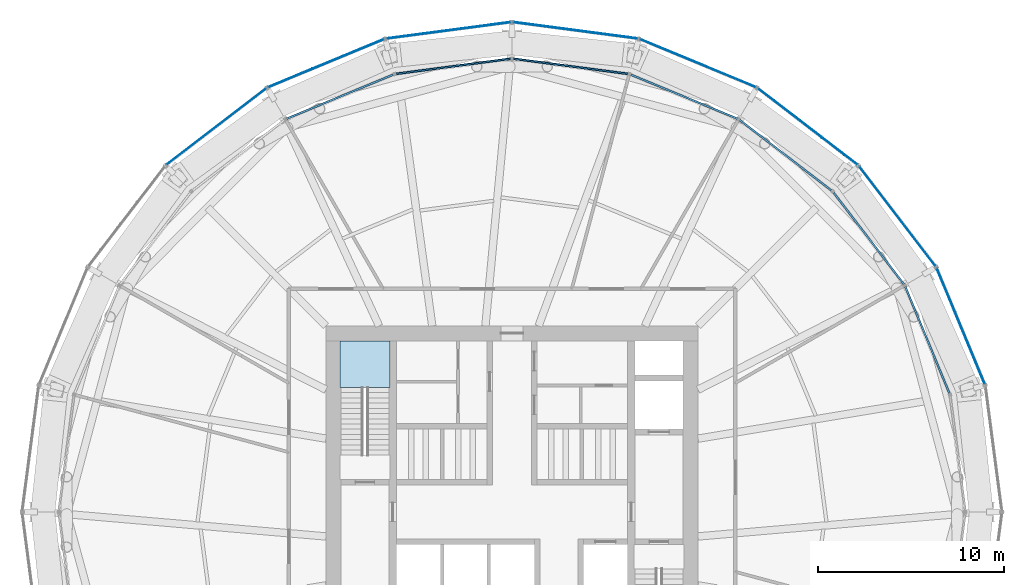
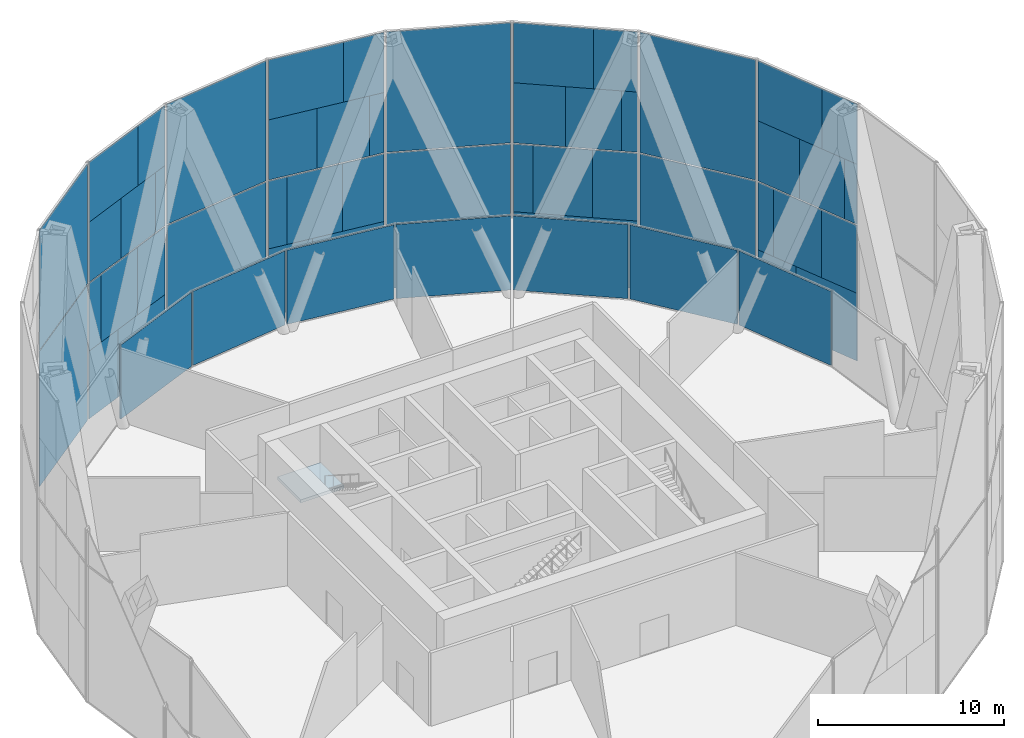
# One storey, part 12 of 16: 55 plates, 1 slab, 16 elements without a shape of their own.
"""IFC4 building model written with IfcOpenShell, lengths in metres."""

import ifcopenshell
import ifcopenshell.guid

model = None  # the IFC model being written
_history = None  # IfcOwnerHistory: only IFC2X3 demands one
_inside = {}  # id of a spatial element -> (the spatial element, [elements in it])
_under = {}  # id of a project, library or spatial element -> (it, [spatial elements below it])
_declared = {}  # id of a project -> (the project, [libraries it declares])
_typed = {}  # id of a type object -> (the type object, [elements of that type])
_made_of = {}  # id of a material, layer set ... -> (it, [elements and type objects made of it])


def new_model(schema):
    """Start an empty IFC model of exactly this schema.

    Asked for "IFC4X3", IfcOpenShell would pick the latest addendum, in which some entities
    have other attributes; the version numbers below select the first issue.
    IFC2X3 requires an IfcOwnerHistory on every rooted entity: one is made here for all.
    """
    global model, _history
    if schema == "IFC4X3":
        model = ifcopenshell.file(schema_version=(4, 3, 0, 0))
    else:
        model = ifcopenshell.file(schema=schema)
    _inside.clear()
    _under.clear()
    _declared.clear()
    _typed.clear()
    _made_of.clear()
    _history = None
    if model.schema == "IFC2X3":
        org = make("IfcOrganization", Name="unknown")
        user = make(
            "IfcPersonAndOrganization",
            ThePerson=make("IfcPerson", FamilyName="unknown"),
            TheOrganization=org,
        )
        app = make(
            "IfcApplication",
            ApplicationDeveloper=org,
            Version="unknown",
            ApplicationFullName="unknown",
            ApplicationIdentifier="unknown",
        )
        _history = make(
            "IfcOwnerHistory",
            OwningUser=user,
            OwningApplication=app,
            ChangeAction="ADDED",
            CreationDate=0,
        )
    return model


def make(cls, **values):
    """One entity of the class cls with the attributes given. An attribute that is None is left unset."""
    return model.create_entity(
        cls, **{name: value for name, value in values.items() if value is not None}
    )


def rooted(cls, **values):
    """An entity with a GlobalId (a new one), such as an element, a storey or a relation."""
    return make(cls, GlobalId=ifcopenshell.guid.new(), OwnerHistory=_history, **values)


def si_unit(unit_type, name, prefix=None):
    """IfcSIUnit, for example si_unit("LENGTHUNIT", "METRE", prefix="MILLI")."""
    return make("IfcSIUnit", UnitType=unit_type, Prefix=prefix, Name=name)


def assignment(units):
    """IfcUnitAssignment: the units of a project."""
    return None if units is None else make("IfcUnitAssignment", Units=units)


def point(xyz):
    """IfcCartesianPoint."""
    return None if xyz is None else make("IfcCartesianPoint", Coordinates=xyz)


def direction(xyz):
    """IfcDirection."""
    return None if xyz is None else make("IfcDirection", DirectionRatios=xyz)


def frame(location, z_axis=None, x_axis=None):
    """IfcAxis2Placement3D, a coordinate frame: its origin and axes. An axis left out is left unset."""
    return make(
        "IfcAxis2Placement3D",
        Location=point(location),
        Axis=direction(z_axis),
        RefDirection=direction(x_axis),
    )


def frame_2d(location, x_axis=None):
    """IfcAxis2Placement2D, a coordinate frame in the plane: its origin and x axis."""
    return make(
        "IfcAxis2Placement2D", Location=point(location), RefDirection=direction(x_axis)
    )


def origin():
    """The frame at (0, 0, 0) with its axes left unset."""
    return frame((0.0, 0.0, 0.0))


def origin_2d():
    """The frame at (0, 0) in the plane with its x axis left unset."""
    return frame_2d((0.0, 0.0))


def place(relative_to, where):
    """IfcLocalPlacement: puts the frame where relative to a parent placement (None: the world)."""
    return make(
        "IfcLocalPlacement", PlacementRelTo=relative_to, RelativePlacement=where
    )


def context(
    kind, dimensions, precision=None, world=None, true_north=None, identifier=None
):
    """IfcGeometricRepresentationContext, for example the 3D "Model" context."""
    return make(
        "IfcGeometricRepresentationContext",
        ContextIdentifier=identifier,
        ContextType=kind,
        CoordinateSpaceDimension=dimensions,
        Precision=precision,
        WorldCoordinateSystem=world,
        TrueNorth=true_north,
    )


def subcontext(parent, identifier, kind, view, scale=None):
    """IfcGeometricRepresentationSubContext, for example "Body" below "Model"."""
    return make(
        "IfcGeometricRepresentationSubContext",
        ContextIdentifier=identifier,
        ContextType=kind,
        ParentContext=parent,
        TargetScale=scale,
        TargetView=view,
    )


def project(units=None, contexts=None):
    """IfcProject with its units and contexts."""
    return rooted(
        "IfcProject",
        Name="project",
        RepresentationContexts=contexts,
        UnitsInContext=assignment(units),
    )


def spatial(cls, under=None, at=None, **own):
    """A site, building, storey or space (cls), placed at a placement, below another one or the project."""
    s = rooted(cls, ObjectPlacement=at, **own)
    if under is not None:
        _under.setdefault(under.id(), (under, []))[1].append(s)
    return s


def polyline(points):
    """IfcPolyline through the points."""
    return make("IfcPolyline", Points=[point(p) for p in points])


def profile(cls, at=None, kind="AREA", **sizes):
    """A parametric profile (cls). Its sizes go by their IFC names, for example OverallWidth=200.0."""
    return make(cls, ProfileType=kind, Position=at, **sizes)


def rectangle(**sizes):
    """IfcRectangleProfileDef."""
    return profile("IfcRectangleProfileDef", **sizes)


def outline(outer, holes=None, kind="AREA"):
    """IfcArbitraryClosedProfileDef: a profile drawn as a closed curve; with holes, ...WithVoids."""
    if holes is None:
        return make("IfcArbitraryClosedProfileDef", ProfileType=kind, OuterCurve=outer)
    return make(
        "IfcArbitraryProfileDefWithVoids",
        ProfileType=kind,
        OuterCurve=outer,
        InnerCurves=holes,
    )


def extrude(swept, where, along, depth):
    """IfcExtrudedAreaSolid: the profile swept, set in the frame where, extruded along a direction by depth."""
    return make(
        "IfcExtrudedAreaSolid",
        SweptArea=swept,
        Position=where,
        ExtrudedDirection=direction(along),
        Depth=depth,
    )


def shape(context_of_items, identifier, shape_type, items):
    """IfcShapeRepresentation: the items that make up one representation, for example the "Body"."""
    return make(
        "IfcShapeRepresentation",
        ContextOfItems=context_of_items,
        RepresentationIdentifier=identifier,
        RepresentationType=shape_type,
        Items=items,
    )


def material(Name=None, Category=None):
    """IfcMaterial."""
    return make("IfcMaterial", Name=Name, Category=Category)


def layer(
    of_material, thickness, ventilated=None, Name=None, Category=None, Priority=None
):
    """IfcMaterialLayer: one layer of a wall or slab, of a material (None: an air gap)."""
    return make(
        "IfcMaterialLayer",
        Material=of_material,
        LayerThickness=thickness,
        IsVentilated=ventilated,
        Name=Name,
        Category=Category,
        Priority=Priority,
    )


def layer_set(layers, Name=None):
    """IfcMaterialLayerSet."""
    return make("IfcMaterialLayerSet", MaterialLayers=layers, LayerSetName=Name)


def made_of(thing, what):
    """Note that an element or type object is made of a material, layer set ...; save() writes the relation."""
    if what is not None:
        _made_of.setdefault(what.id(), (what, []))[1].append(thing)
    return thing


def type_object(cls, material=None, **own):
    """A type object (cls), such as IfcWallType, which elements share."""
    return made_of(rooted(cls, **own), material)


def element(
    cls,
    number,
    at=None,
    inside=None,
    cuts=None,
    type_object=None,
    material=None,
    context=None,
    identifier="Body",
    shape_type=None,
    held_by="IfcProductDefinitionShape",
    body=None,
    shapes=None,
    **own,
):
    """One element of the class cls, such as IfcWall. Its Tag is "e" and its number.

    at: its placement. inside: the storey or other place that contains it. cuts: it is an
    opening in that element (IfcRelVoidsElement). A single representation is given by context,
    identifier, shape_type and body (its items); several are given by shapes. held_by: the class
    of the entity that holds the representations. save() writes the other relations.
    """
    e = rooted(cls, Tag="e%d" % number, ObjectPlacement=at, **own)
    if body is not None:
        shapes = [shape(context, identifier, shape_type, body)]
    if shapes is not None:
        e.Representation = make(held_by, Representations=shapes)
    if inside is not None:
        _inside.setdefault(inside.id(), (inside, []))[1].append(e)
    if cuts is not None:
        rooted(
            "IfcRelVoidsElement", RelatingBuildingElement=cuts, RelatedOpeningElement=e
        )
    if type_object is not None:
        _typed.setdefault(type_object.id(), (type_object, []))[1].append(e)
    return made_of(e, material)


def aggregate(whole, parts):
    """IfcRelAggregates: a whole, such as a stair, and the parts it consists of."""
    return rooted("IfcRelAggregates", RelatingObject=whole, RelatedObjects=parts)


def save(model, path):
    """Write the relations noted so far, then the file.

    IfcRelAggregates (storeys below a building ...), IfcRelContainedInSpatialStructure (elements
    in a storey), IfcRelDefinesByType, IfcRelAssociatesMaterial and IfcRelDeclares: one each for
    every whole, place, type object, material and project.
    """
    for whole, parts in _under.values():
        aggregate(whole, parts)
    for where, things in _inside.values():
        rooted(
            "IfcRelContainedInSpatialStructure",
            RelatedElements=things,
            RelatingStructure=where,
        )
    for kind, things in _typed.values():
        rooted("IfcRelDefinesByType", RelatedObjects=things, RelatingType=kind)
    for what, things in _made_of.values():
        rooted("IfcRelAssociatesMaterial", RelatedObjects=things, RelatingMaterial=what)
    for by, libraries in _declared.values():
        rooted("IfcRelDeclares", RelatingContext=by, RelatedDefinitions=libraries)
    model.write(path)


model = new_model("IFC4")

# Units and contexts
model_context = context("Model", 3, precision=1e-05, world=origin(), true_north=direction((0.0, 1.0)))
body_context = subcontext(model_context, "Body", "Model", "MODEL_VIEW")
ifc_project = project(units=[si_unit("LENGTHUNIT", "METRE"), si_unit("AREAUNIT", "SQUARE_METRE"), si_unit("VOLUMEUNIT", "CUBIC_METRE"), si_unit("PLANEANGLEUNIT", "RADIAN"), si_unit("MASSUNIT", "GRAM", prefix="KILO")], contexts=[model_context])

# Site, building, storey
site_placement = place(None, origin())
site = spatial("IfcSite", under=ifc_project, at=site_placement, CompositionType="ELEMENT")
building_placement = place(site_placement, origin())
building = spatial("IfcBuilding", under=site, at=building_placement, Name="Golbaran Civic Tower", CompositionType="ELEMENT")
storey_placement = place(building_placement, frame((0.0, 0.0, 85.0)))
storey = spatial("IfcBuildingStorey", under=building, at=storey_placement, Name="L20", CompositionType="ELEMENT", Elevation=85.0)

# Curtain wall, plates
ifc_material_1 = material(Name="Aluminium and glass", Category="aluminium")
curtain_wall_type_1 = type_object("IfcCurtainWallType", Name="OUTER SKIN TERRACOTTA SCREEN", PredefinedType="NOTDEFINED", material=ifc_material_1)
curtain_wall_1_placement = place(storey_placement, origin())
curtain_wall_1 = element("IfcCurtainWall", 1, at=curtain_wall_1_placement, inside=storey, type_object=curtain_wall_type_1, Name="Outer skin L20 facet 2 CW3", ObjectType="OUTER SKIN", PredefinedType="USERDEFINED")
ifc_material_2 = material(Name="Clear laminated glass", Category="glass")
ifc_layer_1 = layer(ifc_material_2, 0.0400390625, Name="Clear laminated glass")
ifc_layer_set_1 = layer_set([ifc_layer_1], Name="Clear laminated glass")
plate_type_1 = type_object("IfcPlateType", Name="OUTER SKIN CLEAR GLASS PANEL", PredefinedType="CURTAIN_PANEL", material=ifc_layer_set_1)
plate_1_placement = place(storey_placement, frame((24.6103515625, 8.802734375, -0.6298828125), z_axis=(0.0, 0.0, 1.0), x_axis=(-0.382683432397, 0.923879532498, 0.0)))
plate_1 = element("IfcPlate", 2, at=plate_1_placement, type_object=plate_type_1, Name="CW3 panel 1.1 part 1", PredefinedType="CURTAIN_PANEL", context=body_context, shape_type="SweptSolid", body=[
    extrude(rectangle(XDim=4.14306640625, YDim=0.0400390625, at=origin_2d()), origin(), (0.0, 0.0, 1.0), 4.43994140625),
])
plate_2_placement = place(storey_placement, frame((24.940673828125, 8.00537109375, 3.81005859375), z_axis=(0.0, 0.0, 1.0), x_axis=(-0.382683432397, 0.923879532498, 0.0)))
plate_2 = element("IfcPlate", 3, at=plate_2_placement, type_object=plate_type_1, Name="CW3 panel 1.1 part 3", PredefinedType="CURTAIN_PANEL", context=body_context, shape_type="SweptSolid", body=[
    extrude(rectangle(XDim=2.4169921875, YDim=0.0400390625, at=origin_2d()), origin(), (0.0, 0.0, 1.0), 4.43994140625),
])
plate_3_placement = place(storey_placement, frame((23.038330078125, 12.598388671875, 3.81005859375), z_axis=(0.0, 0.0, 1.0), x_axis=(-0.382683432397, 0.923879532498, 0.0)))
plate_3 = element("IfcPlate", 4, at=plate_3_placement, type_object=plate_type_1, Name="CW3 panel 1.1 part 5", PredefinedType="CURTAIN_PANEL", context=body_context, shape_type="SweptSolid", body=[
    extrude(rectangle(XDim=1.06787109375, YDim=0.0400390625, at=origin_2d()), origin(), (0.0, 0.0, 1.0), 4.43994140625),
])
plate_4_placement = place(storey_placement, frame((25.23974609375, 7.283447265625, 8.330078125), z_axis=(0.0, 0.0, 1.0), x_axis=(-0.382683432397, 0.923879532498, 0.0)))
plate_4 = element("IfcPlate", 5, at=plate_4_placement, type_object=plate_type_1, Name="CW3 panel 1.2 part 1", PredefinedType="CURTAIN_PANEL", context=body_context, shape_type="SweptSolid", body=[
    extrude(rectangle(XDim=0.85400390625, YDim=0.0400390625, at=origin_2d()), origin(), (0.0, 0.0, 1.0), 3.93994140625),
])
plate_5_placement = place(storey_placement, frame((23.374267578125, 11.787109375, 8.330078125), z_axis=(0.0, 0.0, 1.0), x_axis=(-0.382683432397, 0.923879532498, 0.0)))
plate_5 = element("IfcPlate", 6, at=plate_5_placement, type_object=plate_type_1, Name="CW3 panel 1.2 part 3", PredefinedType="CURTAIN_PANEL", context=body_context, shape_type="SweptSolid", body=[
    extrude(rectangle(XDim=2.82373046875, YDim=0.0400390625, at=origin_2d()), origin(), (0.0, 0.0, 1.0), 3.93994140625),
])
plate_6_placement = place(storey_placement, frame((23.6669921875, 11.080322265625, 12.27001953125), z_axis=(0.0, 0.0, 1.0), x_axis=(-0.382683432397, 0.923879532498, 0.0)))
plate_6 = element("IfcPlate", 7, at=plate_6_placement, type_object=plate_type_1, Name="CW3 panel 1.2 part 5", PredefinedType="CURTAIN_PANEL", context=body_context, shape_type="SweptSolid", body=[
    extrude(rectangle(XDim=4.353759765625, YDim=0.0400390625, at=origin_2d()), origin(), (0.0, 0.0, 1.0), 3.93994140625),
])

curtain_wall_2_placement = place(storey_placement, origin())
curtain_wall_2 = element("IfcCurtainWall", 8, at=curtain_wall_2_placement, inside=storey, type_object=curtain_wall_type_1, Name="Outer skin L20 facet 4 CW3", ObjectType="OUTER SKIN", PredefinedType="USERDEFINED")
plate_7_placement = place(storey_placement, frame((16.911865234375, 19.928466796875, -0.6298828125), z_axis=(0.0, 0.0, 1.0), x_axis=(-0.793353340238, 0.608761429078, 0.0)))
plate_7 = element("IfcPlate", 9, at=plate_7_placement, type_object=plate_type_1, Name="CW3 panel 1.1 part 1", PredefinedType="CURTAIN_PANEL", context=body_context, shape_type="SweptSolid", body=[
    extrude(rectangle(XDim=4.14306640625, YDim=0.0400390625, at=origin_2d()), origin(), (0.0, 0.0, 1.0), 4.43994140625),
])
plate_8_placement = place(storey_placement, frame((17.5966796875, 19.4033203125, 3.81005859375), z_axis=(0.0, 0.0, 1.0), x_axis=(-0.793353340238, 0.608761429078, 0.0)))
plate_8 = element("IfcPlate", 10, at=plate_8_placement, type_object=plate_type_1, Name="CW3 panel 1.1 part 3", PredefinedType="CURTAIN_PANEL", context=body_context, shape_type="SweptSolid", body=[
    extrude(rectangle(XDim=2.4169921875, YDim=0.0400390625, at=origin_2d()), origin(), (0.0, 0.0, 1.0), 4.43994140625),
])
plate_9_placement = place(storey_placement, frame((13.652587890625, 22.4296875, 3.81005859375), z_axis=(0.0, 0.0, 1.0), x_axis=(-0.793353340238, 0.608761429078, 0.0)))
plate_9 = element("IfcPlate", 11, at=plate_9_placement, type_object=plate_type_1, Name="CW3 panel 1.1 part 5", PredefinedType="CURTAIN_PANEL", context=body_context, shape_type="SweptSolid", body=[
    extrude(rectangle(XDim=1.06787109375, YDim=0.0400390625, at=origin_2d()), origin(), (0.0, 0.0, 1.0), 4.43994140625),
])
plate_10_placement = place(storey_placement, frame((18.216552734375, 18.927490234375, 8.330078125), z_axis=(0.0, 0.0, 1.0), x_axis=(-0.793353340238, 0.608761429078, 0.0)))
plate_10 = element("IfcPlate", 12, at=plate_10_placement, type_object=plate_type_1, Name="CW3 panel 1.2 part 1", PredefinedType="CURTAIN_PANEL", context=body_context, shape_type="SweptSolid", body=[
    extrude(rectangle(XDim=0.85400390625, YDim=0.0400390625, at=origin_2d()), origin(), (0.0, 0.0, 1.0), 3.93994140625),
])
plate_11_placement = place(storey_placement, frame((14.34912109375, 21.89501953125, 8.330078125), z_axis=(0.0, 0.0, 1.0), x_axis=(-0.793353340238, 0.608761429078, 0.0)))
plate_11 = element("IfcPlate", 13, at=plate_11_placement, type_object=plate_type_1, Name="CW3 panel 1.2 part 3", PredefinedType="CURTAIN_PANEL", context=body_context, shape_type="SweptSolid", body=[
    extrude(rectangle(XDim=2.82373046875, YDim=0.0400390625, at=origin_2d()), origin(), (0.0, 0.0, 1.0), 3.93994140625),
])
plate_12_placement = place(storey_placement, frame((14.9560546875, 21.429443359375, 12.27001953125), z_axis=(0.0, 0.0, 1.0), x_axis=(-0.793353340238, 0.608761429078, 0.0)))
plate_12 = element("IfcPlate", 14, at=plate_12_placement, type_object=plate_type_1, Name="CW3 panel 1.2 part 5", PredefinedType="CURTAIN_PANEL", context=body_context, shape_type="SweptSolid", body=[
    extrude(rectangle(XDim=4.353759765625, YDim=0.0400390625, at=origin_2d()), origin(), (0.0, 0.0, 1.0), 3.93994140625),
])

curtain_wall_3_placement = place(storey_placement, origin())
curtain_wall_3 = element("IfcCurtainWall", 15, at=curtain_wall_3_placement, inside=storey, type_object=curtain_wall_type_1, Name="Outer skin L20 facet 6 CW3", ObjectType="OUTER SKIN", PredefinedType="USERDEFINED")
plate_13_placement = place(storey_placement, frame((4.681884765625, 25.714599609375, -0.6298828125), z_axis=(0.0, 0.0, 1.0), x_axis=(-0.991444861374, 0.13052619222, 0.0)))
plate_13 = element("IfcPlate", 16, at=plate_13_placement, type_object=plate_type_1, Name="CW3 panel 1.1 part 1", PredefinedType="CURTAIN_PANEL", context=body_context, shape_type="SweptSolid", body=[
    extrude(rectangle(XDim=4.14306640625, YDim=0.0400390625, at=origin_2d()), origin(), (0.0, 0.0, 1.0), 4.43994140625),
])
plate_14_placement = place(storey_placement, frame((5.53759765625, 25.60205078125, 3.81005859375), z_axis=(0.0, 0.0, 1.0), x_axis=(-0.991444861374, 0.13052619222, 0.0)))
plate_14 = element("IfcPlate", 17, at=plate_14_placement, type_object=plate_type_1, Name="CW3 panel 1.1 part 3", PredefinedType="CURTAIN_PANEL", context=body_context, shape_type="SweptSolid", body=[
    extrude(rectangle(XDim=2.4169921875, YDim=0.0400390625, at=origin_2d()), origin(), (0.0, 0.0, 1.0), 4.43994140625),
])
plate_15_placement = place(storey_placement, frame((0.608642578125, 26.2509765625, 3.81005859375), z_axis=(0.0, 0.0, 1.0), x_axis=(-0.991444861374, 0.13052619222, 0.0)))
plate_15 = element("IfcPlate", 18, at=plate_15_placement, type_object=plate_type_1, Name="CW3 panel 1.1 part 5", PredefinedType="CURTAIN_PANEL", context=body_context, shape_type="SweptSolid", body=[
    extrude(rectangle(XDim=1.06787109375, YDim=0.0400390625, at=origin_2d()), origin(), (0.0, 0.0, 1.0), 4.43994140625),
])
plate_16_placement = place(storey_placement, frame((6.312255859375, 25.5, 8.330078125), z_axis=(0.0, 0.0, 1.0), x_axis=(-0.991444861374, 0.13052619222, 0.0)))
plate_16 = element("IfcPlate", 19, at=plate_16_placement, type_object=plate_type_1, Name="CW3 panel 1.2 part 1", PredefinedType="CURTAIN_PANEL", context=body_context, shape_type="SweptSolid", body=[
    extrude(rectangle(XDim=0.85400390625, YDim=0.0400390625, at=origin_2d()), origin(), (0.0, 0.0, 1.0), 3.93994140625),
])
plate_17_placement = place(storey_placement, frame((1.47900390625, 26.13623046875, 8.330078125), z_axis=(0.0, 0.0, 1.0), x_axis=(-0.991444861374, 0.13052619222, 0.0)))
plate_17 = element("IfcPlate", 20, at=plate_17_placement, type_object=plate_type_1, Name="CW3 panel 1.2 part 3", PredefinedType="CURTAIN_PANEL", context=body_context, shape_type="SweptSolid", body=[
    extrude(rectangle(XDim=2.82373046875, YDim=0.0400390625, at=origin_2d()), origin(), (0.0, 0.0, 1.0), 3.93994140625),
])
plate_18_placement = place(storey_placement, frame((2.237548828125, 26.036376953125, 12.27001953125), z_axis=(0.0, 0.0, 1.0), x_axis=(-0.991444861374, 0.13052619222, 0.0)))
plate_18 = element("IfcPlate", 21, at=plate_18_placement, type_object=plate_type_1, Name="CW3 panel 1.2 part 5", PredefinedType="CURTAIN_PANEL", context=body_context, shape_type="SweptSolid", body=[
    extrude(rectangle(XDim=4.353759765625, YDim=0.0400390625, at=origin_2d()), origin(), (0.0, 0.0, 1.0), 3.93994140625),
])

curtain_wall_4_placement = place(storey_placement, origin())
curtain_wall_4 = element("IfcCurtainWall", 22, at=curtain_wall_4_placement, inside=storey, type_object=curtain_wall_type_1, Name="Outer skin L20 facet 8 CW3", ObjectType="OUTER SKIN", PredefinedType="USERDEFINED")
plate_19_placement = place(storey_placement, frame((-8.802734375, 24.6103515625, -0.6298828125), z_axis=(0.0, 0.0, 1.0), x_axis=(-0.923879532498, -0.382683432397, 0.0)))
plate_19 = element("IfcPlate", 23, at=plate_19_placement, type_object=plate_type_1, Name="CW3 panel 1.1 part 1", PredefinedType="CURTAIN_PANEL", context=body_context, shape_type="SweptSolid", body=[
    extrude(rectangle(XDim=4.14306640625, YDim=0.0400390625, at=origin_2d()), origin(), (0.0, 0.0, 1.0), 4.43994140625),
])
plate_20_placement = place(storey_placement, frame((-8.00537109375, 24.940673828125, 3.81005859375), z_axis=(0.0, 0.0, 1.0), x_axis=(-0.923879532498, -0.382683432397, 0.0)))
plate_20 = element("IfcPlate", 24, at=plate_20_placement, type_object=plate_type_1, Name="CW3 panel 1.1 part 3", PredefinedType="CURTAIN_PANEL", context=body_context, shape_type="SweptSolid", body=[
    extrude(rectangle(XDim=2.4169921875, YDim=0.0400390625, at=origin_2d()), origin(), (0.0, 0.0, 1.0), 4.43994140625),
])
plate_21_placement = place(storey_placement, frame((-12.598388671875, 23.038330078125, 3.81005859375), z_axis=(0.0, 0.0, 1.0), x_axis=(-0.923879532498, -0.382683432397, 0.0)))
plate_21 = element("IfcPlate", 25, at=plate_21_placement, type_object=plate_type_1, Name="CW3 panel 1.1 part 5", PredefinedType="CURTAIN_PANEL", context=body_context, shape_type="SweptSolid", body=[
    extrude(rectangle(XDim=1.06787109375, YDim=0.0400390625, at=origin_2d()), origin(), (0.0, 0.0, 1.0), 4.43994140625),
])
plate_22_placement = place(storey_placement, frame((-7.283447265625, 25.23974609375, 8.330078125), z_axis=(0.0, 0.0, 1.0), x_axis=(-0.923879532498, -0.382683432397, 0.0)))
plate_22 = element("IfcPlate", 26, at=plate_22_placement, type_object=plate_type_1, Name="CW3 panel 1.2 part 1", PredefinedType="CURTAIN_PANEL", context=body_context, shape_type="SweptSolid", body=[
    extrude(rectangle(XDim=0.85400390625, YDim=0.0400390625, at=origin_2d()), origin(), (0.0, 0.0, 1.0), 3.93994140625),
])
plate_23_placement = place(storey_placement, frame((-11.787109375, 23.374267578125, 8.330078125), z_axis=(0.0, 0.0, 1.0), x_axis=(-0.923879532498, -0.382683432397, 0.0)))
plate_23 = element("IfcPlate", 27, at=plate_23_placement, type_object=plate_type_1, Name="CW3 panel 1.2 part 3", PredefinedType="CURTAIN_PANEL", context=body_context, shape_type="SweptSolid", body=[
    extrude(rectangle(XDim=2.82373046875, YDim=0.0400390625, at=origin_2d()), origin(), (0.0, 0.0, 1.0), 3.93994140625),
])
plate_24_placement = place(storey_placement, frame((-11.080322265625, 23.6669921875, 12.27001953125), z_axis=(0.0, 0.0, 1.0), x_axis=(-0.923879532498, -0.382683432397, 0.0)))
plate_24 = element("IfcPlate", 28, at=plate_24_placement, type_object=plate_type_1, Name="CW3 panel 1.2 part 5", PredefinedType="CURTAIN_PANEL", context=body_context, shape_type="SweptSolid", body=[
    extrude(rectangle(XDim=4.353759765625, YDim=0.0400390625, at=origin_2d()), origin(), (0.0, 0.0, 1.0), 3.93994140625),
])

# Plate
ifc_material_3 = material(Name="Terracotta baguette screen", Category="masonry")
ifc_layer_2 = layer(ifc_material_3, 0.0400390625, Name="Terracotta baguette screen")
ifc_layer_set_2 = layer_set([ifc_layer_2], Name="Terracotta baguette screen")
plate_type_2 = type_object("IfcPlateType", Name="OUTER SKIN TERRACOTTA INFILL PANEL", PredefinedType="CURTAIN_PANEL", material=ifc_layer_set_2)
plate_25_placement = place(storey_placement, frame((23.325927734375, 11.904052734375, -0.6298828125), z_axis=(0.0, 0.0, 1.0), x_axis=(-0.382683432397, 0.923879532498, 0.0)))
plate_25 = element("IfcPlate", 29, at=plate_25_placement, type_object=plate_type_2, Name="CW3 infill panel 1.1 part 2", PredefinedType="CURTAIN_PANEL", context=body_context, shape_type="SweptSolid", body=[
    extrude(rectangle(XDim=2.57080078125, YDim=0.0400390625, at=origin_2d()), origin(), (0.0, 0.0, 1.0), 4.43994140625),
])

plate_26_placement = place(storey_placement, frame((23.8603515625, 10.613525390625, 3.81005859375), z_axis=(0.0, 0.0, 1.0), x_axis=(-0.382683432397, 0.923879532498, 0.0)))
plate_26 = element("IfcPlate", 30, at=plate_26_placement, type_object=plate_type_2, Name="CW3 infill panel 1.1 part 4", PredefinedType="CURTAIN_PANEL", context=body_context, shape_type="SweptSolid", body=[
    extrude(rectangle(XDim=3.22900390625, YDim=0.0400390625, at=origin_2d()), origin(), (0.0, 0.0, 1.0), 4.43994140625),
])

plate_27_placement = place(storey_placement, frame((24.495361328125, 9.080322265625, 8.330078125), z_axis=(0.0, 0.0, 1.0), x_axis=(-0.382683432397, 0.923879532498, 0.0)))
plate_27 = element("IfcPlate", 31, at=plate_27_placement, type_object=plate_type_2, Name="CW3 infill panel 1.2 part 2", PredefinedType="CURTAIN_PANEL", context=body_context, shape_type="SweptSolid", body=[
    extrude(rectangle(XDim=3.035888671875, YDim=0.0400390625, at=origin_2d()), origin(), (0.0, 0.0, 1.0), 3.93994140625),
])

plate_28_placement = place(storey_placement, frame((24.95166015625, 7.97900390625, 12.27001953125), z_axis=(0.0, 0.0, 1.0), x_axis=(-0.382683432397, 0.923879532498, 0.0)))
plate_28 = element("IfcPlate", 32, at=plate_28_placement, type_object=plate_type_2, Name="CW3 infill panel 1.2 part 4", PredefinedType="CURTAIN_PANEL", context=body_context, shape_type="SweptSolid", body=[
    extrude(rectangle(XDim=2.360107421875, YDim=0.0400390625, at=origin_2d()), origin(), (0.0, 0.0, 1.0), 3.93994140625),
])

aggregate(curtain_wall_1, [plate_1, plate_25, plate_2, plate_26, plate_3, plate_4, plate_27, plate_5, plate_28, plate_6])

plate_29_placement = place(storey_placement, frame((14.248779296875, 21.97216796875, -0.6298828125), z_axis=(0.0, 0.0, 1.0), x_axis=(-0.793353340238, 0.608761429078, 0.0)))
plate_29 = element("IfcPlate", 33, at=plate_29_placement, type_object=plate_type_2, Name="CW3 infill panel 1.1 part 2", PredefinedType="CURTAIN_PANEL", context=body_context, shape_type="SweptSolid", body=[
    extrude(rectangle(XDim=2.57080078125, YDim=0.0400390625, at=origin_2d()), origin(), (0.0, 0.0, 1.0), 4.43994140625),
])

plate_30_placement = place(storey_placement, frame((15.35693359375, 21.121826171875, 3.81005859375), z_axis=(0.0, 0.0, 1.0), x_axis=(-0.793353340238, 0.608761429078, 0.0)))
plate_30 = element("IfcPlate", 34, at=plate_30_placement, type_object=plate_type_2, Name="CW3 infill panel 1.1 part 4", PredefinedType="CURTAIN_PANEL", context=body_context, shape_type="SweptSolid", body=[
    extrude(rectangle(XDim=3.22900390625, YDim=0.0400390625, at=origin_2d()), origin(), (0.0, 0.0, 1.0), 4.43994140625),
])

plate_31_placement = place(storey_placement, frame((16.673583984375, 20.111572265625, 8.330078125), z_axis=(0.0, 0.0, 1.0), x_axis=(-0.793353340238, 0.608761429078, 0.0)))
plate_31 = element("IfcPlate", 35, at=plate_31_placement, type_object=plate_type_2, Name="CW3 infill panel 1.2 part 2", PredefinedType="CURTAIN_PANEL", context=body_context, shape_type="SweptSolid", body=[
    extrude(rectangle(XDim=3.035888671875, YDim=0.0400390625, at=origin_2d()), origin(), (0.0, 0.0, 1.0), 3.93994140625),
])

plate_32_placement = place(storey_placement, frame((17.619140625, 19.385986328125, 12.27001953125), z_axis=(0.0, 0.0, 1.0), x_axis=(-0.793353340238, 0.608761429078, 0.0)))
plate_32 = element("IfcPlate", 36, at=plate_32_placement, type_object=plate_type_2, Name="CW3 infill panel 1.2 part 4", PredefinedType="CURTAIN_PANEL", context=body_context, shape_type="SweptSolid", body=[
    extrude(rectangle(XDim=2.360107421875, YDim=0.0400390625, at=origin_2d()), origin(), (0.0, 0.0, 1.0), 3.93994140625),
])

aggregate(curtain_wall_2, [plate_7, plate_29, plate_8, plate_30, plate_9, plate_10, plate_31, plate_11, plate_32, plate_12])

plate_33_placement = place(storey_placement, frame((1.353759765625, 26.15283203125, -0.6298828125), z_axis=(0.0, 0.0, 1.0), x_axis=(-0.991444861374, 0.13052619222, 0.0)))
plate_33 = element("IfcPlate", 37, at=plate_33_placement, type_object=plate_type_2, Name="CW3 infill panel 1.1 part 2", PredefinedType="CURTAIN_PANEL", context=body_context, shape_type="SweptSolid", body=[
    extrude(rectangle(XDim=2.57080078125, YDim=0.0400390625, at=origin_2d()), origin(), (0.0, 0.0, 1.0), 4.43994140625),
])

plate_34_placement = place(storey_placement, frame((2.738525390625, 25.970458984375, 3.81005859375), z_axis=(0.0, 0.0, 1.0), x_axis=(-0.991444861374, 0.13052619222, 0.0)))
plate_34 = element("IfcPlate", 38, at=plate_34_placement, type_object=plate_type_2, Name="CW3 infill panel 1.1 part 4", PredefinedType="CURTAIN_PANEL", context=body_context, shape_type="SweptSolid", body=[
    extrude(rectangle(XDim=3.22900390625, YDim=0.0400390625, at=origin_2d()), origin(), (0.0, 0.0, 1.0), 4.43994140625),
])

plate_35_placement = place(storey_placement, frame((4.384033203125, 25.75390625, 8.330078125), z_axis=(0.0, 0.0, 1.0), x_axis=(-0.991444861374, 0.13052619222, 0.0)))
plate_35 = element("IfcPlate", 39, at=plate_35_placement, type_object=plate_type_2, Name="CW3 infill panel 1.2 part 2", PredefinedType="CURTAIN_PANEL", context=body_context, shape_type="SweptSolid", body=[
    extrude(rectangle(XDim=3.035888671875, YDim=0.0400390625, at=origin_2d()), origin(), (0.0, 0.0, 1.0), 3.93994140625),
])

plate_36_placement = place(storey_placement, frame((5.565673828125, 25.59814453125, 12.27001953125), z_axis=(0.0, 0.0, 1.0), x_axis=(-0.991444861374, 0.13052619222, 0.0)))
plate_36 = element("IfcPlate", 40, at=plate_36_placement, type_object=plate_type_2, Name="CW3 infill panel 1.2 part 4", PredefinedType="CURTAIN_PANEL", context=body_context, shape_type="SweptSolid", body=[
    extrude(rectangle(XDim=2.360107421875, YDim=0.0400390625, at=origin_2d()), origin(), (0.0, 0.0, 1.0), 3.93994140625),
])

aggregate(curtain_wall_3, [plate_13, plate_33, plate_14, plate_34, plate_15, plate_16, plate_35, plate_17, plate_36, plate_18])

plate_37_placement = place(storey_placement, frame((-11.904052734375, 23.325927734375, -0.6298828125), z_axis=(0.0, 0.0, 1.0), x_axis=(-0.923879532498, -0.382683432397, 0.0)))
plate_37 = element("IfcPlate", 41, at=plate_37_placement, type_object=plate_type_2, Name="CW3 infill panel 1.1 part 2", PredefinedType="CURTAIN_PANEL", context=body_context, shape_type="SweptSolid", body=[
    extrude(rectangle(XDim=2.57080078125, YDim=0.0400390625, at=origin_2d()), origin(), (0.0, 0.0, 1.0), 4.43994140625),
])

plate_38_placement = place(storey_placement, frame((-10.613525390625, 23.8603515625, 3.81005859375), z_axis=(0.0, 0.0, 1.0), x_axis=(-0.923879532498, -0.382683432397, 0.0)))
plate_38 = element("IfcPlate", 42, at=plate_38_placement, type_object=plate_type_2, Name="CW3 infill panel 1.1 part 4", PredefinedType="CURTAIN_PANEL", context=body_context, shape_type="SweptSolid", body=[
    extrude(rectangle(XDim=3.22900390625, YDim=0.0400390625, at=origin_2d()), origin(), (0.0, 0.0, 1.0), 4.43994140625),
])

plate_39_placement = place(storey_placement, frame((-9.080322265625, 24.495361328125, 8.330078125), z_axis=(0.0, 0.0, 1.0), x_axis=(-0.923879532498, -0.382683432397, 0.0)))
plate_39 = element("IfcPlate", 43, at=plate_39_placement, type_object=plate_type_2, Name="CW3 infill panel 1.2 part 2", PredefinedType="CURTAIN_PANEL", context=body_context, shape_type="SweptSolid", body=[
    extrude(rectangle(XDim=3.035888671875, YDim=0.0400390625, at=origin_2d()), origin(), (0.0, 0.0, 1.0), 3.93994140625),
])

plate_40_placement = place(storey_placement, frame((-7.97900390625, 24.95166015625, 12.27001953125), z_axis=(0.0, 0.0, 1.0), x_axis=(-0.923879532498, -0.382683432397, 0.0)))
plate_40 = element("IfcPlate", 44, at=plate_40_placement, type_object=plate_type_2, Name="CW3 infill panel 1.2 part 4", PredefinedType="CURTAIN_PANEL", context=body_context, shape_type="SweptSolid", body=[
    extrude(rectangle(XDim=2.360107421875, YDim=0.0400390625, at=origin_2d()), origin(), (0.0, 0.0, 1.0), 3.93994140625),
])

aggregate(curtain_wall_4, [plate_19, plate_37, plate_20, plate_38, plate_21, plate_22, plate_39, plate_23, plate_40, plate_24])

# Curtain wall, plates
curtain_wall_5_placement = place(storey_placement, origin())
curtain_wall_5 = element("IfcCurtainWall", 45, at=curtain_wall_5_placement, inside=storey, type_object=curtain_wall_type_1, Name="Outer skin L20 facet 3 CW3", ObjectType="OUTER SKIN", PredefinedType="USERDEFINED")
ifc_layer_3 = layer(ifc_material_3, 0.0400390625, Name="Terracotta baguette screen")
ifc_layer_set_3 = layer_set([ifc_layer_3], Name="Terracotta baguette screen")
plate_type_3 = type_object("IfcPlateType", Name="OUTER SKIN TERRACOTTA SCREEN PANEL", PredefinedType="CURTAIN_PANEL", material=ifc_layer_set_3)
plate_41_placement = place(storey_placement, frame((20.711181640625, 15.89208984375, -0.6298828125), z_axis=(0.0, 0.0, 1.0), x_axis=(-0.608761429078, 0.793353340238, 0.0)))
plate_41 = element("IfcPlate", 46, at=plate_41_placement, type_object=plate_type_3, Name="CW3 terracotta screen panel 1.1", PredefinedType="CURTAIN_PANEL", context=body_context, shape_type="SweptSolid", body=[
    extrude(rectangle(XDim=6.7138671875, YDim=0.0400390625, at=origin_2d()), origin(), (0.0, 0.0, 1.0), 8.8798828125),
])
plate_42_placement = place(storey_placement, frame((20.711181640625, 15.89208984375, 8.330078125), z_axis=(0.0, 0.0, 1.0), x_axis=(-0.608761429078, 0.793353340238, 0.0)))
plate_42 = element("IfcPlate", 47, at=plate_42_placement, type_object=plate_type_3, Name="CW3 terracotta screen panel 1.2", PredefinedType="CURTAIN_PANEL", context=body_context, shape_type="SweptSolid", body=[
    extrude(rectangle(XDim=6.7138671875, YDim=0.0400390625, at=origin_2d()), origin(), (0.0, 0.0, 1.0), 7.8798828125),
])
aggregate(curtain_wall_5, [plate_41, plate_42])

curtain_wall_6_placement = place(storey_placement, origin())
curtain_wall_6 = element("IfcCurtainWall", 48, at=curtain_wall_6_placement, inside=storey, type_object=curtain_wall_type_1, Name="Outer skin L20 facet 5 CW3", ObjectType="OUTER SKIN", PredefinedType="USERDEFINED")
plate_43_placement = place(storey_placement, frame((9.990234375, 24.11865234375, -0.6298828125), z_axis=(0.0, 0.0, 1.0), x_axis=(-0.923879532498, 0.382683432397, 0.0)))
plate_43 = element("IfcPlate", 49, at=plate_43_placement, type_object=plate_type_3, Name="CW3 terracotta screen panel 1.1", PredefinedType="CURTAIN_PANEL", context=body_context, shape_type="SweptSolid", body=[
    extrude(rectangle(XDim=6.7138671875, YDim=0.0400390625, at=origin_2d()), origin(), (0.0, 0.0, 1.0), 8.8798828125),
])
plate_44_placement = place(storey_placement, frame((9.990234375, 24.11865234375, 8.330078125), z_axis=(0.0, 0.0, 1.0), x_axis=(-0.923879532498, 0.382683432397, 0.0)))
plate_44 = element("IfcPlate", 50, at=plate_44_placement, type_object=plate_type_3, Name="CW3 terracotta screen panel 1.2", PredefinedType="CURTAIN_PANEL", context=body_context, shape_type="SweptSolid", body=[
    extrude(rectangle(XDim=6.7138671875, YDim=0.0400390625, at=origin_2d()), origin(), (0.0, 0.0, 1.0), 7.8798828125),
])
aggregate(curtain_wall_6, [plate_43, plate_44])

curtain_wall_7_placement = place(storey_placement, origin())
curtain_wall_7 = element("IfcCurtainWall", 51, at=curtain_wall_7_placement, inside=storey, type_object=curtain_wall_type_1, Name="Outer skin L20 facet 7 CW3", ObjectType="OUTER SKIN", PredefinedType="USERDEFINED")
plate_45_placement = place(storey_placement, frame((-3.407470703125, 25.88232421875, -0.6298828125), z_axis=(0.0, 0.0, 1.0), x_axis=(-0.991444861374, -0.13052619222, 0.0)))
plate_45 = element("IfcPlate", 52, at=plate_45_placement, type_object=plate_type_3, Name="CW3 terracotta screen panel 1.1", PredefinedType="CURTAIN_PANEL", context=body_context, shape_type="SweptSolid", body=[
    extrude(rectangle(XDim=6.7138671875, YDim=0.0400390625, at=origin_2d()), origin(), (0.0, 0.0, 1.0), 8.8798828125),
])
plate_46_placement = place(storey_placement, frame((-3.407470703125, 25.88232421875, 8.330078125), z_axis=(0.0, 0.0, 1.0), x_axis=(-0.991444861374, -0.13052619222, 0.0)))
plate_46 = element("IfcPlate", 53, at=plate_46_placement, type_object=plate_type_3, Name="CW3 terracotta screen panel 1.2", PredefinedType="CURTAIN_PANEL", context=body_context, shape_type="SweptSolid", body=[
    extrude(rectangle(XDim=6.7138671875, YDim=0.0400390625, at=origin_2d()), origin(), (0.0, 0.0, 1.0), 7.8798828125),
])
aggregate(curtain_wall_7, [plate_45, plate_46])

curtain_wall_8_placement = place(storey_placement, origin())
curtain_wall_8 = element("IfcCurtainWall", 54, at=curtain_wall_8_placement, inside=storey, type_object=curtain_wall_type_1, Name="Outer skin L20 facet 9 CW3", ObjectType="OUTER SKIN", PredefinedType="USERDEFINED")
plate_47_placement = place(storey_placement, frame((-15.89208984375, 20.711181640625, -0.6298828125), z_axis=(0.0, 0.0, 1.0), x_axis=(-0.793353340238, -0.608761429078, 0.0)))
plate_47 = element("IfcPlate", 55, at=plate_47_placement, type_object=plate_type_3, Name="CW3 terracotta screen panel 1.1", PredefinedType="CURTAIN_PANEL", context=body_context, shape_type="SweptSolid", body=[
    extrude(rectangle(XDim=6.7138671875, YDim=0.0400390625, at=origin_2d()), origin(), (0.0, 0.0, 1.0), 8.8798828125),
])
plate_48_placement = place(storey_placement, frame((-15.89208984375, 20.711181640625, 8.330078125), z_axis=(0.0, 0.0, 1.0), x_axis=(-0.793353340238, -0.608761429078, 0.0)))
plate_48 = element("IfcPlate", 56, at=plate_48_placement, type_object=plate_type_3, Name="CW3 terracotta screen panel 1.2", PredefinedType="CURTAIN_PANEL", context=body_context, shape_type="SweptSolid", body=[
    extrude(rectangle(XDim=6.7138671875, YDim=0.0400390625, at=origin_2d()), origin(), (0.0, 0.0, 1.0), 7.8798828125),
])
aggregate(curtain_wall_8, [plate_47, plate_48])

# Curtain wall, plate
curtain_wall_type_2 = type_object("IfcCurtainWallType", Name="PLANT FLOOR LOUVRE WALL", PredefinedType="NOTDEFINED", material=ifc_material_1)
curtain_wall_9_placement = place(storey_placement, origin())
curtain_wall_9 = element("IfcCurtainWall", 57, at=curtain_wall_9_placement, inside=storey, type_object=curtain_wall_type_2, Name="Inner skin L20 facet 2 CW6", ObjectType="PLANT LOUVRE WALL", PredefinedType="USERDEFINED")
ifc_material_4 = material(Name="Aluminium louvre", Category="aluminium")
ifc_layer_4 = layer(ifc_material_4, 0.10009765625, Name="Aluminium louvre")
ifc_layer_set_4 = layer_set([ifc_layer_4], Name="Aluminium louvre")
plate_type_4 = type_object("IfcPlateType", Name="PLANT FLOOR LOUVRE WALL LOUVRE PANEL", PredefinedType="CURTAIN_PANEL", material=ifc_layer_set_4)
plate_49_placement = place(storey_placement, frame((22.318603515625, 9.24462890625, 0.06982421875), z_axis=(0.0, 0.0, 1.0), x_axis=(-0.382683432268, 0.923879532551, 0.0)))
plate_49 = element("IfcPlate", 58, at=plate_49_placement, type_object=plate_type_4, Name="CW6 panel 1.1", PredefinedType="CURTAIN_PANEL", context=body_context, shape_type="SweptSolid", body=[
    extrude(rectangle(XDim=6.220703125, YDim=0.10009765625, at=origin_2d()), origin(), (0.0, 0.0, 1.0), 4.860107421875),
])
aggregate(curtain_wall_9, [plate_49])

curtain_wall_10_placement = place(storey_placement, origin())
curtain_wall_10 = element("IfcCurtainWall", 59, at=curtain_wall_10_placement, inside=storey, type_object=curtain_wall_type_2, Name="Inner skin L20 facet 3 CW6", ObjectType="PLANT LOUVRE WALL", PredefinedType="USERDEFINED")
plate_50_placement = place(storey_placement, frame((19.16552734375, 14.706298828125, 0.06982421875), z_axis=(0.0, 0.0, 1.0), x_axis=(-0.608761429119, 0.793353340206, 0.0)))
plate_50 = element("IfcPlate", 60, at=plate_50_placement, type_object=plate_type_4, Name="CW6 panel 1.1", PredefinedType="CURTAIN_PANEL", context=body_context, shape_type="SweptSolid", body=[
    extrude(rectangle(XDim=6.220703125, YDim=0.10009765625, at=origin_2d()), origin(), (0.0, 0.0, 1.0), 4.860107421875),
])
aggregate(curtain_wall_10, [plate_50])

curtain_wall_11_placement = place(storey_placement, origin())
curtain_wall_11 = element("IfcCurtainWall", 61, at=curtain_wall_11_placement, inside=storey, type_object=curtain_wall_type_2, Name="Inner skin L20 facet 4 CW6", ObjectType="PLANT LOUVRE WALL", PredefinedType="USERDEFINED")
plate_51_placement = place(storey_placement, frame((14.706298828125, 19.16552734375, 0.06982421875), z_axis=(0.0, 0.0, 1.0), x_axis=(-0.793353340206, 0.608761429119, 0.0)))
plate_51 = element("IfcPlate", 62, at=plate_51_placement, type_object=plate_type_4, Name="CW6 panel 1.1", PredefinedType="CURTAIN_PANEL", context=body_context, shape_type="SweptSolid", body=[
    extrude(rectangle(XDim=6.220703125, YDim=0.10009765625, at=origin_2d()), origin(), (0.0, 0.0, 1.0), 4.860107421875),
])
aggregate(curtain_wall_11, [plate_51])

curtain_wall_12_placement = place(storey_placement, origin())
curtain_wall_12 = element("IfcCurtainWall", 63, at=curtain_wall_12_placement, inside=storey, type_object=curtain_wall_type_2, Name="Inner skin L20 facet 5 CW6", ObjectType="PLANT LOUVRE WALL", PredefinedType="USERDEFINED")
plate_52_placement = place(storey_placement, frame((9.24462890625, 22.318603515625, 0.06982421875), z_axis=(0.0, 0.0, 1.0), x_axis=(-0.923879532551, 0.382683432268, 0.0)))
plate_52 = element("IfcPlate", 64, at=plate_52_placement, type_object=plate_type_4, Name="CW6 panel 1.1", PredefinedType="CURTAIN_PANEL", context=body_context, shape_type="SweptSolid", body=[
    extrude(rectangle(XDim=6.220703125, YDim=0.10009765625, at=origin_2d()), origin(), (0.0, 0.0, 1.0), 4.860107421875),
])
aggregate(curtain_wall_12, [plate_52])

curtain_wall_13_placement = place(storey_placement, origin())
curtain_wall_13 = element("IfcCurtainWall", 65, at=curtain_wall_13_placement, inside=storey, type_object=curtain_wall_type_2, Name="Inner skin L20 facet 6 CW6", ObjectType="PLANT LOUVRE WALL", PredefinedType="USERDEFINED")
plate_53_placement = place(storey_placement, frame((3.153076171875, 23.950927734375, 0.06982421875), z_axis=(0.0, 0.0, 1.0), x_axis=(-0.991444861367, 0.130526192272, 0.0)))
plate_53 = element("IfcPlate", 66, at=plate_53_placement, type_object=plate_type_4, Name="CW6 panel 1.1", PredefinedType="CURTAIN_PANEL", context=body_context, shape_type="SweptSolid", body=[
    extrude(rectangle(XDim=6.220703125, YDim=0.10009765625, at=origin_2d()), origin(), (0.0, 0.0, 1.0), 4.860107421875),
])
aggregate(curtain_wall_13, [plate_53])

curtain_wall_14_placement = place(storey_placement, origin())
curtain_wall_14 = element("IfcCurtainWall", 67, at=curtain_wall_14_placement, inside=storey, type_object=curtain_wall_type_2, Name="Inner skin L20 facet 7 CW6", ObjectType="PLANT LOUVRE WALL", PredefinedType="USERDEFINED")
plate_54_placement = place(storey_placement, frame((-3.153076171875, 23.950927734375, 0.06982421875), z_axis=(0.0, 0.0, 1.0), x_axis=(-0.991444861367, -0.130526192272, 0.0)))
plate_54 = element("IfcPlate", 68, at=plate_54_placement, type_object=plate_type_4, Name="CW6 panel 1.1", PredefinedType="CURTAIN_PANEL", context=body_context, shape_type="SweptSolid", body=[
    extrude(rectangle(XDim=6.220703125, YDim=0.10009765625, at=origin_2d()), origin(), (0.0, 0.0, 1.0), 4.860107421875),
])
aggregate(curtain_wall_14, [plate_54])

curtain_wall_15_placement = place(storey_placement, origin())
curtain_wall_15 = element("IfcCurtainWall", 69, at=curtain_wall_15_placement, inside=storey, type_object=curtain_wall_type_2, Name="Inner skin L20 facet 8 CW6", ObjectType="PLANT LOUVRE WALL", PredefinedType="USERDEFINED")
plate_55_placement = place(storey_placement, frame((-9.24462890625, 22.318603515625, 0.06982421875), z_axis=(0.0, 0.0, 1.0), x_axis=(-0.923879532551, -0.382683432268, 0.0)))
plate_55 = element("IfcPlate", 70, at=plate_55_placement, type_object=plate_type_4, Name="CW6 panel 1.1", PredefinedType="CURTAIN_PANEL", context=body_context, shape_type="SweptSolid", body=[
    extrude(rectangle(XDim=6.220703125, YDim=0.10009765625, at=origin_2d()), origin(), (0.0, 0.0, 1.0), 4.860107421875),
])
aggregate(curtain_wall_15, [plate_55])

# Stair, slab
ifc_material_5 = material(Name="Concrete C35/45", Category="concrete")
stair_type = type_object("IfcStairType", Name="EXIT STAIR 2600 x 7450, 5000 RISE", PredefinedType="HALF_TURN_STAIR", material=ifc_material_5)
stair_placement = place(storey_placement, origin())
stair = element("IfcStair", 71, at=stair_placement, inside=storey, type_object=stair_type, Name="Stair S1 L20", PredefinedType="HALF_TURN_STAIR")
ifc_layer_5 = layer(ifc_material_5, 0.199951171875, Name="Concrete C35/45")
ifc_layer_set_5 = layer_set([ifc_layer_5], Name="Concrete C35/45")
slab_type = type_object("IfcSlabType", Name="STAIR LANDING 200", PredefinedType="LANDING", material=ifc_layer_set_5)
slab_placement = place(storey_placement, frame((0.0, 0.0, 2.300048828125)))
slab = element("IfcSlab", 72, at=slab_placement, type_object=slab_type, Name="ST26074-50 landing 1", PredefinedType="LANDING", context=body_context, shape_type="SweptSolid", body=[
    extrude(outline(polyline([(-9.25, 6.68505859375), (-9.25, 9.199951171875), (-6.550048828125, 9.199951171875), (-6.550048828125, 6.68505859375), (-9.25, 6.68505859375)])), origin(), (0.0, 0.0, 1.0), 0.199951171875),
])
aggregate(stair, [slab])

save(model, "model.ifc")
